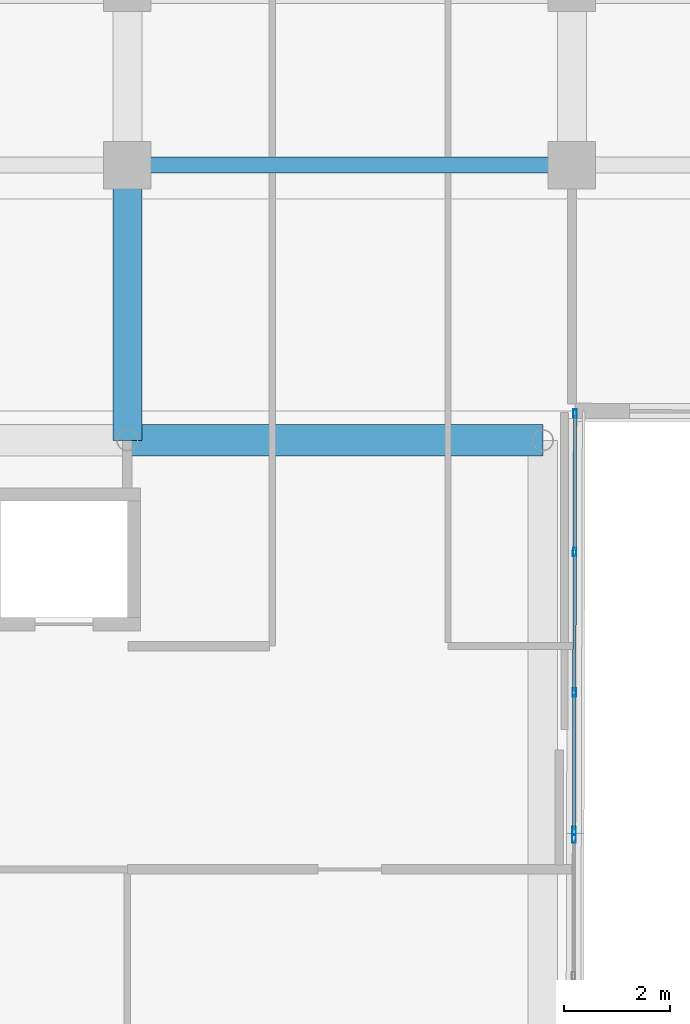
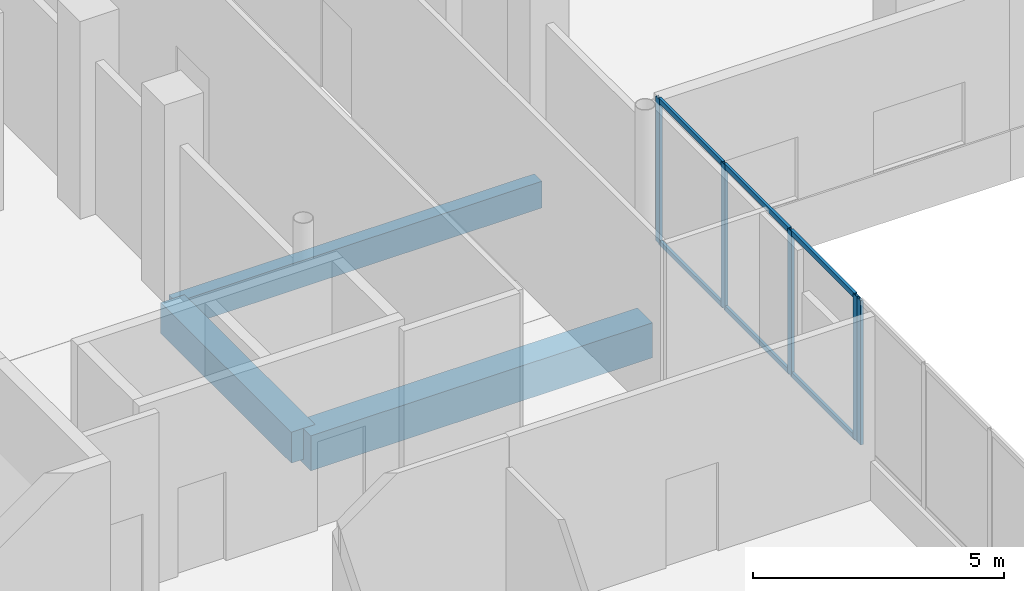
# One storey, part 88 of 168: 11 members, 3 beams, 2 elements without a shape of their own.
"""IFC4 building model written with IfcOpenShell, lengths in metres."""

import ifcopenshell
import ifcopenshell.guid

model = None  # the IFC model being written
_history = None  # IfcOwnerHistory: only IFC2X3 demands one
_inside = {}  # id of a spatial element -> (the spatial element, [elements in it])
_under = {}  # id of a project, library or spatial element -> (it, [spatial elements below it])
_declared = {}  # id of a project -> (the project, [libraries it declares])
_typed = {}  # id of a type object -> (the type object, [elements of that type])
_made_of = {}  # id of a material, layer set ... -> (it, [elements and type objects made of it])


def new_model(schema):
    """Start an empty IFC model of exactly this schema.

    Asked for "IFC4X3", IfcOpenShell would pick the latest addendum, in which some entities
    have other attributes; the version numbers below select the first issue.
    IFC2X3 requires an IfcOwnerHistory on every rooted entity: one is made here for all.
    """
    global model, _history
    if schema == "IFC4X3":
        model = ifcopenshell.file(schema_version=(4, 3, 0, 0))
    else:
        model = ifcopenshell.file(schema=schema)
    _inside.clear()
    _under.clear()
    _declared.clear()
    _typed.clear()
    _made_of.clear()
    _history = None
    if model.schema == "IFC2X3":
        org = make("IfcOrganization", Name="unknown")
        user = make(
            "IfcPersonAndOrganization",
            ThePerson=make("IfcPerson", FamilyName="unknown"),
            TheOrganization=org,
        )
        app = make(
            "IfcApplication",
            ApplicationDeveloper=org,
            Version="unknown",
            ApplicationFullName="unknown",
            ApplicationIdentifier="unknown",
        )
        _history = make(
            "IfcOwnerHistory",
            OwningUser=user,
            OwningApplication=app,
            ChangeAction="ADDED",
            CreationDate=0,
        )
    return model


def make(cls, **values):
    """One entity of the class cls with the attributes given. An attribute that is None is left unset."""
    return model.create_entity(
        cls, **{name: value for name, value in values.items() if value is not None}
    )


def rooted(cls, **values):
    """An entity with a GlobalId (a new one), such as an element, a storey or a relation."""
    return make(cls, GlobalId=ifcopenshell.guid.new(), OwnerHistory=_history, **values)


def si_unit(unit_type, name, prefix=None):
    """IfcSIUnit, for example si_unit("LENGTHUNIT", "METRE", prefix="MILLI")."""
    return make("IfcSIUnit", UnitType=unit_type, Prefix=prefix, Name=name)


def assignment(units):
    """IfcUnitAssignment: the units of a project."""
    return None if units is None else make("IfcUnitAssignment", Units=units)


def point(xyz):
    """IfcCartesianPoint."""
    return None if xyz is None else make("IfcCartesianPoint", Coordinates=xyz)


def direction(xyz):
    """IfcDirection."""
    return None if xyz is None else make("IfcDirection", DirectionRatios=xyz)


def frame(location, z_axis=None, x_axis=None):
    """IfcAxis2Placement3D, a coordinate frame: its origin and axes. An axis left out is left unset."""
    return make(
        "IfcAxis2Placement3D",
        Location=point(location),
        Axis=direction(z_axis),
        RefDirection=direction(x_axis),
    )


def frame_2d(location, x_axis=None):
    """IfcAxis2Placement2D, a coordinate frame in the plane: its origin and x axis."""
    return make(
        "IfcAxis2Placement2D", Location=point(location), RefDirection=direction(x_axis)
    )


def origin():
    """The frame at (0, 0, 0) with its axes left unset."""
    return frame((0.0, 0.0, 0.0))


def origin_2d():
    """The frame at (0, 0) in the plane with its x axis left unset."""
    return frame_2d((0.0, 0.0))


def place(relative_to, where):
    """IfcLocalPlacement: puts the frame where relative to a parent placement (None: the world)."""
    return make(
        "IfcLocalPlacement", PlacementRelTo=relative_to, RelativePlacement=where
    )


def context(
    kind, dimensions, precision=None, world=None, true_north=None, identifier=None
):
    """IfcGeometricRepresentationContext, for example the 3D "Model" context."""
    return make(
        "IfcGeometricRepresentationContext",
        ContextIdentifier=identifier,
        ContextType=kind,
        CoordinateSpaceDimension=dimensions,
        Precision=precision,
        WorldCoordinateSystem=world,
        TrueNorth=true_north,
    )


def subcontext(parent, identifier, kind, view, scale=None):
    """IfcGeometricRepresentationSubContext, for example "Body" below "Model"."""
    return make(
        "IfcGeometricRepresentationSubContext",
        ContextIdentifier=identifier,
        ContextType=kind,
        ParentContext=parent,
        TargetScale=scale,
        TargetView=view,
    )


def project(units=None, contexts=None):
    """IfcProject with its units and contexts."""
    return rooted(
        "IfcProject",
        Name="project",
        RepresentationContexts=contexts,
        UnitsInContext=assignment(units),
    )


def spatial(cls, under=None, at=None, **own):
    """A site, building, storey or space (cls), placed at a placement, below another one or the project."""
    s = rooted(cls, ObjectPlacement=at, **own)
    if under is not None:
        _under.setdefault(under.id(), (under, []))[1].append(s)
    return s


def profile(cls, at=None, kind="AREA", **sizes):
    """A parametric profile (cls). Its sizes go by their IFC names, for example OverallWidth=200.0."""
    return make(cls, ProfileType=kind, Position=at, **sizes)


def rectangle(**sizes):
    """IfcRectangleProfileDef."""
    return profile("IfcRectangleProfileDef", **sizes)


def hollow_rectangle(**sizes):
    """IfcRectangleHollowProfileDef."""
    return profile("IfcRectangleHollowProfileDef", **sizes)


def extrude(swept, where, along, depth):
    """IfcExtrudedAreaSolid: the profile swept, set in the frame where, extruded along a direction by depth."""
    return make(
        "IfcExtrudedAreaSolid",
        SweptArea=swept,
        Position=where,
        ExtrudedDirection=direction(along),
        Depth=depth,
    )


def shape(context_of_items, identifier, shape_type, items):
    """IfcShapeRepresentation: the items that make up one representation, for example the "Body"."""
    return make(
        "IfcShapeRepresentation",
        ContextOfItems=context_of_items,
        RepresentationIdentifier=identifier,
        RepresentationType=shape_type,
        Items=items,
    )


def material(Name=None, Category=None):
    """IfcMaterial."""
    return make("IfcMaterial", Name=Name, Category=Category)


def material_profile(
    of_material, cross_section, Name=None, Category=None, Priority=None
):
    """IfcMaterialProfile: a cross section and its material."""
    return make(
        "IfcMaterialProfile",
        Name=Name,
        Material=of_material,
        Profile=cross_section,
        Priority=Priority,
        Category=Category,
    )


def profile_set(profiles, Name=None, composite=None):
    """IfcMaterialProfileSet."""
    return make(
        "IfcMaterialProfileSet",
        Name=Name,
        MaterialProfiles=profiles,
        CompositeProfile=composite,
    )


def made_of(thing, what):
    """Note that an element or type object is made of a material, layer set ...; save() writes the relation."""
    if what is not None:
        _made_of.setdefault(what.id(), (what, []))[1].append(thing)
    return thing


def type_object(cls, material=None, **own):
    """A type object (cls), such as IfcWallType, which elements share."""
    return made_of(rooted(cls, **own), material)


def element(
    cls,
    number,
    at=None,
    inside=None,
    cuts=None,
    type_object=None,
    material=None,
    context=None,
    identifier="Body",
    shape_type=None,
    held_by="IfcProductDefinitionShape",
    body=None,
    shapes=None,
    **own,
):
    """One element of the class cls, such as IfcWall. Its Tag is "e" and its number.

    at: its placement. inside: the storey or other place that contains it. cuts: it is an
    opening in that element (IfcRelVoidsElement). A single representation is given by context,
    identifier, shape_type and body (its items); several are given by shapes. held_by: the class
    of the entity that holds the representations. save() writes the other relations.
    """
    e = rooted(cls, Tag="e%d" % number, ObjectPlacement=at, **own)
    if body is not None:
        shapes = [shape(context, identifier, shape_type, body)]
    if shapes is not None:
        e.Representation = make(held_by, Representations=shapes)
    if inside is not None:
        _inside.setdefault(inside.id(), (inside, []))[1].append(e)
    if cuts is not None:
        rooted(
            "IfcRelVoidsElement", RelatingBuildingElement=cuts, RelatedOpeningElement=e
        )
    if type_object is not None:
        _typed.setdefault(type_object.id(), (type_object, []))[1].append(e)
    return made_of(e, material)


def aggregate(whole, parts):
    """IfcRelAggregates: a whole, such as a stair, and the parts it consists of."""
    return rooted("IfcRelAggregates", RelatingObject=whole, RelatedObjects=parts)


def save(model, path):
    """Write the relations noted so far, then the file.

    IfcRelAggregates (storeys below a building ...), IfcRelContainedInSpatialStructure (elements
    in a storey), IfcRelDefinesByType, IfcRelAssociatesMaterial and IfcRelDeclares: one each for
    every whole, place, type object, material and project.
    """
    for whole, parts in _under.values():
        aggregate(whole, parts)
    for where, things in _inside.values():
        rooted(
            "IfcRelContainedInSpatialStructure",
            RelatedElements=things,
            RelatingStructure=where,
        )
    for kind, things in _typed.values():
        rooted("IfcRelDefinesByType", RelatedObjects=things, RelatingType=kind)
    for what, things in _made_of.values():
        rooted("IfcRelAssociatesMaterial", RelatedObjects=things, RelatingMaterial=what)
    for by, libraries in _declared.values():
        rooted("IfcRelDeclares", RelatingContext=by, RelatedDefinitions=libraries)
    model.write(path)


model = new_model("IFC4")

# Units and contexts
model_context = context("Model", 3, precision=1e-05, world=origin(), true_north=direction((0.0, 1.0)))
body_context = subcontext(model_context, "Body", "Model", "MODEL_VIEW")
ifc_project = project(units=[si_unit("LENGTHUNIT", "METRE"), si_unit("AREAUNIT", "SQUARE_METRE"), si_unit("VOLUMEUNIT", "CUBIC_METRE"), si_unit("PLANEANGLEUNIT", "RADIAN"), si_unit("MASSUNIT", "GRAM", prefix="KILO")], contexts=[model_context])

# Site, building, storey
site_placement = place(None, origin())
site = spatial("IfcSite", under=ifc_project, at=site_placement, CompositionType="ELEMENT")
building_placement = place(site_placement, origin())
building = spatial("IfcBuilding", under=site, at=building_placement, Name="Selatvlak General Hospital", CompositionType="ELEMENT")
storey_placement = place(building_placement, frame((0.0, 0.0, 5.39990234375)))
storey = spatial("IfcBuildingStorey", under=building, at=storey_placement, Name="L01", CompositionType="ELEMENT", Elevation=5.39990234375)

# Beams
ifc_material_1 = material(Name="Concrete C40/50", Category="concrete")
ifc_material_profile_1 = material_profile(ifc_material_1, rectangle(XDim=0.60009765625, YDim=0.85009765625, at=origin_2d()), Name="RC-BM 600x850")
ifc_profile_set_1 = profile_set([ifc_material_profile_1], Name="Concrete C40/50")
beam_type_1 = type_object("IfcBeamType", Name="BM-G01", PredefinedType="BEAM", material=ifc_profile_set_1)
beam_1_placement = place(storey_placement, frame((73.199951171875, 83.449951171875, -0.744873046875), z_axis=(1.0, 0.0, 0.0), x_axis=(0.0, 1.0, 0.0)))
element("IfcBeam", 1, at=beam_1_placement, inside=storey, type_object=beam_type_1, Name="Beam BMR-L01-0428", PredefinedType="BEAM", context=body_context, shape_type="SweptSolid", body=[
    extrude(rectangle(XDim=0.60009765625, YDim=0.85009765625, at=origin_2d()), origin(), (0.0, 0.0, 1.0), 7.85009765625),
])
ifc_material_profile_2 = material_profile(ifc_material_1, rectangle(XDim=0.550048828125, YDim=0.75, at=origin_2d()), Name="RC-BM 550x750")
ifc_profile_set_2 = profile_set([ifc_material_profile_2], Name="Concrete C40/50")
beam_type_2 = type_object("IfcBeamType", Name="BM-G02", PredefinedType="BEAM", material=ifc_profile_set_2)
beam_2_placement = place(storey_placement, frame((73.199951171875, 83.449951171875, -0.69482421875), z_axis=(0.0, 1.0, 0.0), x_axis=(-1.0, 0.0, 0.0)))
element("IfcBeam", 2, at=beam_2_placement, inside=storey, type_object=beam_type_2, Name="Beam BMR-L01-0589", PredefinedType="BEAM", context=body_context, shape_type="SweptSolid", body=[
    extrude(rectangle(XDim=0.550048828125, YDim=0.75, at=origin_2d()), origin(), (0.0, 0.0, 1.0), 5.199951171875),
])
ifc_material_profile_3 = material_profile(ifc_material_1, rectangle(XDim=0.300048828125, YDim=0.64990234375, at=origin_2d()), Name="RC-SP 300x650")
ifc_profile_set_3 = profile_set([ifc_material_profile_3], Name="Concrete C40/50")
beam_type_3 = type_object("IfcBeamType", Name="BM-SP1", PredefinedType="SPANDREL", material=ifc_profile_set_3)
beam_3_placement = place(storey_placement, frame((73.199951171875, 88.64990234375, -0.64501953125), z_axis=(1.0, 0.0, 0.0), x_axis=(0.0, 1.0, 0.0)))
element("IfcBeam", 3, at=beam_3_placement, inside=storey, type_object=beam_type_3, Name="Beam BMR-L01-0438", PredefinedType="SPANDREL", context=body_context, shape_type="SweptSolid", body=[
    extrude(rectangle(XDim=0.300048828125, YDim=0.64990234375, at=origin_2d()), origin(), (0.0, 0.0, 1.0), 8.400146484375),
])

# Curtain wall, members
ifc_material_2 = material(Name="Solar-control Low-E double glazing", Category="glass")
curtain_wall_type_1 = type_object("IfcCurtainWallType", Name="CW-CW-01", PredefinedType="USERDEFINED", material=ifc_material_2)
curtain_wall_1_placement = place(storey_placement, origin())
curtain_wall_1 = element("IfcCurtainWall", 4, at=curtain_wall_1_placement, inside=storey, type_object=curtain_wall_type_1, Name="Glazed facade curtain wall CW-L01-0226", ObjectType="UNITISED CURTAIN WALL", PredefinedType="USERDEFINED")
ifc_material_3 = material(Name="Dark anodised aluminium mullion", Category="aluminium")
ifc_material_profile_4 = material_profile(ifc_material_3, hollow_rectangle(XDim=0.06494140625, YDim=0.159912109375, WallThickness=0.00390625, at=origin_2d()), Name="AL-MUL 65x160x4")
ifc_profile_set_4 = profile_set([ifc_material_profile_4], Name="Dark anodised aluminium mullion")
member_type_1 = type_object("IfcMemberType", Name="CWM-01", PredefinedType="MULLION", material=ifc_profile_set_4)
member_1_placement = place(storey_placement, frame((81.659912109375, 83.952392578125, 0.940185546875), z_axis=(0.0, 0.0, 1.0), x_axis=(0.999996835583, -0.002515715314, 0.0)))
member_1 = element("IfcMember", 5, at=member_1_placement, type_object=member_type_1, Name="CW-01 mullion 1", PredefinedType="MULLION", context=body_context, shape_type="SweptSolid", body=[
    extrude(hollow_rectangle(XDim=0.06494140625, YDim=0.159912109375, WallThickness=0.00390625, at=origin_2d()), origin(), (0.0, 0.0, 1.0), 3.5048828125),
])
member_2_placement = place(storey_placement, frame((81.6533203125, 81.3349609375, 0.940185546875), z_axis=(0.0, 0.0, 1.0), x_axis=(0.999996835583, -0.002515715314, 0.0)))
member_2 = element("IfcMember", 6, at=member_2_placement, type_object=member_type_1, Name="CW-01 mullion 2", PredefinedType="MULLION", context=body_context, shape_type="SweptSolid", body=[
    extrude(hollow_rectangle(XDim=0.06494140625, YDim=0.159912109375, WallThickness=0.00390625, at=origin_2d()), origin(), (0.0, 0.0, 1.0), 3.5048828125),
])
member_3_placement = place(storey_placement, frame((81.646728515625, 78.68505859375, 0.940185546875), z_axis=(0.0, 0.0, 1.0), x_axis=(0.999996835583, -0.002515715314, 0.0)))
member_3 = element("IfcMember", 7, at=member_3_placement, type_object=member_type_1, Name="CW-01 mullion 3", PredefinedType="MULLION", context=body_context, shape_type="SweptSolid", body=[
    extrude(hollow_rectangle(XDim=0.06494140625, YDim=0.159912109375, WallThickness=0.00390625, at=origin_2d()), origin(), (0.0, 0.0, 1.0), 3.5048828125),
])
member_4_placement = place(storey_placement, frame((81.64013671875, 76.0673828125, 0.940185546875), z_axis=(0.0, 0.0, 1.0), x_axis=(0.999996835583, -0.002515715314, 0.0)))
member_4 = element("IfcMember", 8, at=member_4_placement, type_object=member_type_1, Name="CW-01 mullion 4", PredefinedType="MULLION", context=body_context, shape_type="SweptSolid", body=[
    extrude(hollow_rectangle(XDim=0.06494140625, YDim=0.159912109375, WallThickness=0.00390625, at=origin_2d()), origin(), (0.0, 0.0, 1.0), 3.5048828125),
])

# Curtain wall, member
curtain_wall_type_2 = type_object("IfcCurtainWallType", Name="CW-CW-02", PredefinedType="USERDEFINED", material=ifc_material_2)
curtain_wall_2_placement = place(storey_placement, origin())
curtain_wall_2 = element("IfcCurtainWall", 9, at=curtain_wall_2_placement, inside=storey, type_object=curtain_wall_type_2, Name="Glazed facade curtain wall CW-L01-0227", ObjectType="UNITISED CURTAIN WALL", PredefinedType="USERDEFINED")
member_5_placement = place(storey_placement, frame((81.639892578125, 75.922607421875, 0.940185546875), z_axis=(0.0, 0.0, 1.0), x_axis=(0.999996795401, -0.002531637448, 0.0)))
member_5 = element("IfcMember", 10, at=member_5_placement, type_object=member_type_1, Name="CW-02 mullion 1", PredefinedType="MULLION", context=body_context, shape_type="SweptSolid", body=[
    extrude(hollow_rectangle(XDim=0.06494140625, YDim=0.159912109375, WallThickness=0.00390625, at=origin_2d()), origin(), (0.0, 0.0, 1.0), 3.5048828125),
])
aggregate(curtain_wall_2, [member_5])

# Member
ifc_material_profile_5 = material_profile(ifc_material_3, hollow_rectangle(XDim=0.06494140625, YDim=0.1201171875, WallThickness=0.00390625, at=origin_2d()), Name="AL-TRN 65x120x4")
ifc_profile_set_5 = profile_set([ifc_material_profile_5], Name="Dark anodised aluminium mullion")
member_type_2 = type_object("IfcMemberType", Name="CWT-01", PredefinedType="USERDEFINED", material=ifc_profile_set_5)
member_6_placement = place(storey_placement, frame((81.659912109375, 83.919921875, 0.97265625), z_axis=(-0.002582487802, -0.999996665373, 0.0), x_axis=(0.999996665373, -0.002582487802, 0.0)))
member_6 = element("IfcMember", 11, at=member_6_placement, type_object=member_type_2, Name="CW-01 transom 1.1", ObjectType="TRANSOM", PredefinedType="USERDEFINED", context=body_context, shape_type="SweptSolid", body=[
    extrude(hollow_rectangle(XDim=0.06494140625, YDim=0.1201171875, WallThickness=0.00390625, at=origin_2d()), origin(), (0.0, 0.0, 1.0), 2.552490234375),
])

member_7_placement = place(storey_placement, frame((81.659912109375, 83.919921875, 4.41259765625), z_axis=(-0.002582487802, -0.999996665373, 0.0), x_axis=(0.999996665373, -0.002582487802, 0.0)))
member_7 = element("IfcMember", 12, at=member_7_placement, type_object=member_type_2, Name="CW-01 transom 1.2", ObjectType="TRANSOM", PredefinedType="USERDEFINED", context=body_context, shape_type="SweptSolid", body=[
    extrude(hollow_rectangle(XDim=0.06494140625, YDim=0.1201171875, WallThickness=0.00390625, at=origin_2d()), origin(), (0.0, 0.0, 1.0), 2.552490234375),
])

member_8_placement = place(storey_placement, frame((81.6533203125, 81.302490234375, 0.97265625), z_axis=(-0.002550048377, -0.999996748621, 0.0), x_axis=(0.999996748621, -0.002550048377, 0.0)))
member_8 = element("IfcMember", 13, at=member_8_placement, type_object=member_type_2, Name="CW-01 transom 2.1", ObjectType="TRANSOM", PredefinedType="USERDEFINED", context=body_context, shape_type="SweptSolid", body=[
    extrude(hollow_rectangle(XDim=0.06494140625, YDim=0.1201171875, WallThickness=0.00390625, at=origin_2d()), origin(), (0.0, 0.0, 1.0), 2.5849609375),
])

member_9_placement = place(storey_placement, frame((81.6533203125, 81.302490234375, 4.41259765625), z_axis=(-0.002550048377, -0.999996748621, 0.0), x_axis=(0.999996748621, -0.002550048377, 0.0)))
member_9 = element("IfcMember", 14, at=member_9_placement, type_object=member_type_2, Name="CW-01 transom 2.2", ObjectType="TRANSOM", PredefinedType="USERDEFINED", context=body_context, shape_type="SweptSolid", body=[
    extrude(hollow_rectangle(XDim=0.06494140625, YDim=0.1201171875, WallThickness=0.00390625, at=origin_2d()), origin(), (0.0, 0.0, 1.0), 2.5849609375),
])

member_10_placement = place(storey_placement, frame((81.646484375, 78.652587890625, 0.97265625), z_axis=(-0.002486840708, -0.999996907807, 0.0), x_axis=(0.999996907807, -0.002486840708, 0.0)))
member_10 = element("IfcMember", 15, at=member_10_placement, type_object=member_type_2, Name="CW-01 transom 3.1", ObjectType="TRANSOM", PredefinedType="USERDEFINED", context=body_context, shape_type="SweptSolid", body=[
    extrude(hollow_rectangle(XDim=0.06494140625, YDim=0.1201171875, WallThickness=0.00390625, at=origin_2d()), origin(), (0.0, 0.0, 1.0), 2.552490234375),
])

member_11_placement = place(storey_placement, frame((81.646484375, 78.652587890625, 4.41259765625), z_axis=(-0.002486840708, -0.999996907807, 0.0), x_axis=(0.999996907807, -0.002486840708, 0.0)))
member_11 = element("IfcMember", 16, at=member_11_placement, type_object=member_type_2, Name="CW-01 transom 3.2", ObjectType="TRANSOM", PredefinedType="USERDEFINED", context=body_context, shape_type="SweptSolid", body=[
    extrude(hollow_rectangle(XDim=0.06494140625, YDim=0.1201171875, WallThickness=0.00390625, at=origin_2d()), origin(), (0.0, 0.0, 1.0), 2.552490234375),
])

aggregate(curtain_wall_1, [member_1, member_2, member_3, member_4, member_6, member_7, member_8, member_9, member_10, member_11])

save(model, "model.ifc")
